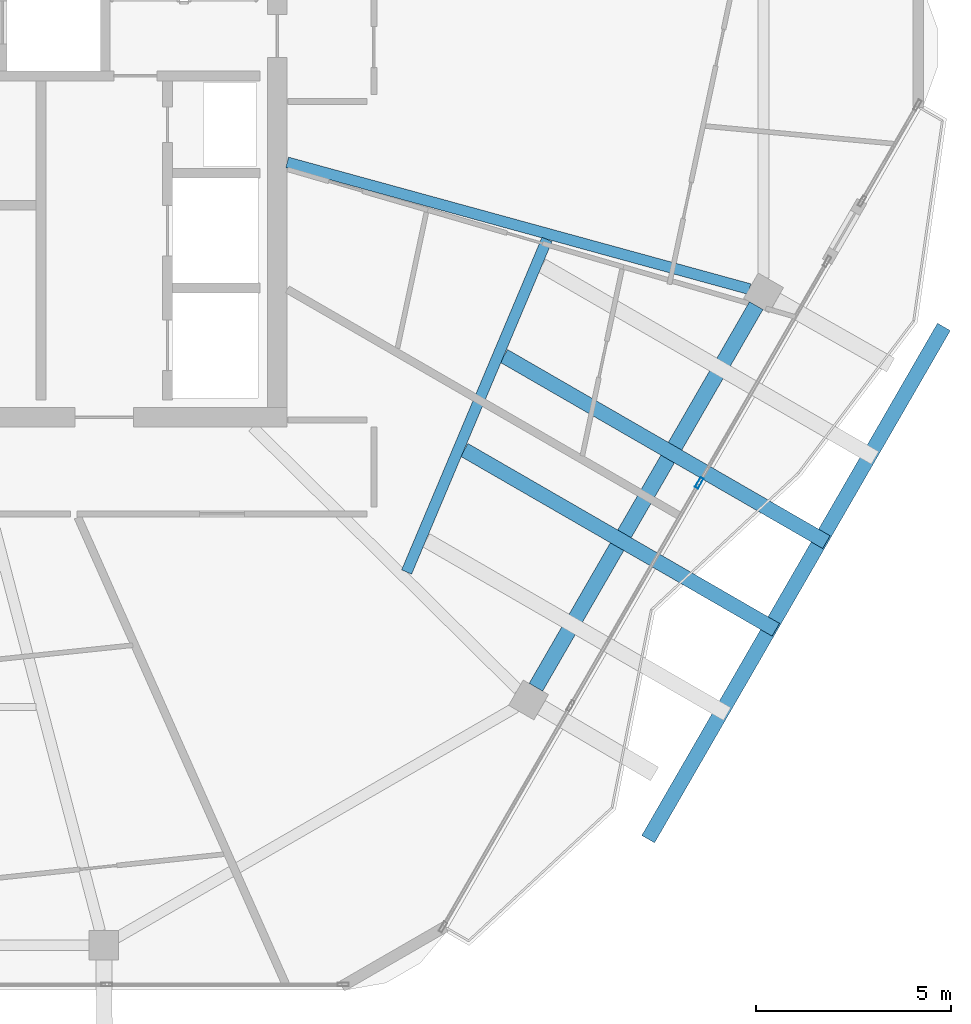
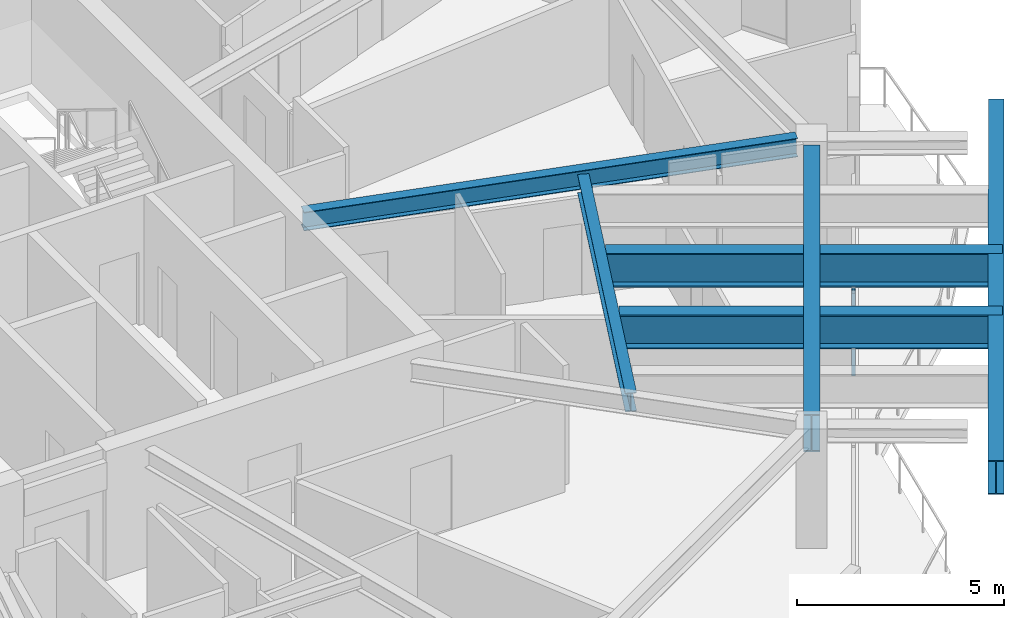
# One storey, part 6 of 23: 6 beams, 1 member, 1 element without a shape of its own.
"""IFC4 building model written with IfcOpenShell, lengths in metres."""

from ifc_helpers import new_model, si_unit, direction, frame, origin, origin_2d, place, context, subcontext, project, spatial, hollow_rectangle, i_section, extrude, material, material_profile, profile_set, type_object, element, aggregate, save


model = new_model("IFC4")

# Units and contexts
model_context = context("Model", 3, precision=1e-05, world=origin(), true_north=direction((0.0, 1.0)))
body_context = subcontext(model_context, "Body", "Model", "MODEL_VIEW")
ifc_project = project(units=[si_unit("LENGTHUNIT", "METRE"), si_unit("AREAUNIT", "SQUARE_METRE"), si_unit("VOLUMEUNIT", "CUBIC_METRE"), si_unit("PLANEANGLEUNIT", "RADIAN"), si_unit("MASSUNIT", "GRAM", prefix="KILO")], contexts=[model_context])

# Site, building, storey
site_placement = place(None, origin())
site = spatial("IfcSite", under=ifc_project, at=site_placement, CompositionType="ELEMENT")
building_placement = place(site_placement, origin())
building = spatial("IfcBuilding", under=site, at=building_placement, Name="Zuhravey Tower", CompositionType="ELEMENT")
storey_placement = place(building_placement, frame((0.0, 0.0, 350.0)))
storey = spatial("IfcBuildingStorey", under=building, at=storey_placement, Name="L89", CompositionType="ELEMENT", Elevation=350.0)

# Curtain wall, member
ifc_material_1 = material(Name="Thermally broken anodised aluminium", Category="aluminium")
curtain_wall_type = type_object("IfcCurtainWallType", Name="Zone 3-4 High-Rise Curtain Wall CW4", PredefinedType="NOTDEFINED", material=ifc_material_1)
curtain_wall_placement = place(storey_placement, origin())
curtain_wall = element("IfcCurtainWall", 1, at=curtain_wall_placement, inside=storey, type_object=curtain_wall_type, Name="L89 CW4 CW-L89-F6-2", PredefinedType="NOTDEFINED")
ifc_material_2 = material(Name="Anodised aluminium", Category="aluminium")
ifc_material_profile_1 = material_profile(ifc_material_2, hollow_rectangle(XDim=0.090087890625, YDim=0.284912109375, WallThickness=0.0048828125, at=origin_2d()), Name="ALU-RHS-90x285x5")
ifc_profile_set_1 = profile_set([ifc_material_profile_1], Name="Anodised aluminium")
member_type = type_object("IfcMemberType", Name="Curtain-Wall Mullion 90x180", PredefinedType="MULLION", material=ifc_profile_set_1)
member_placement = place(storey_placement, frame((57.341796875, 20.816650390625, 0.0), z_axis=(0.0, 0.0, 1.0), x_axis=(0.86602491538, -0.500000845941, 0.0)))
member = element("IfcMember", 2, at=member_placement, type_object=member_type, Name="CW4 mullion 2", PredefinedType="MULLION", context=body_context, shape_type="SweptSolid", body=[
    extrude(hollow_rectangle(XDim=0.090087890625, YDim=0.284912109375, WallThickness=0.0048828125, at=origin_2d()), origin(), (0.0, 0.0, 1.0), 2.419921875),
])
aggregate(curtain_wall, [member])

# Beams
ifc_material_3 = material(Name="Steel SM355", Category="steel")
ifc_material_profile_2 = material_profile(ifc_material_3, i_section(OverallWidth=0.280029296875, OverallDepth=0.550048828125, WebThickness=0.010986328125, FlangeThickness=0.01806640625, at=origin_2d()), Name="H-550x280x11x18")
ifc_profile_set_2 = profile_set([ifc_material_profile_2], Name="Steel SM355")
beam_type_1 = type_object("IfcBeamType", Name="Radial Primary Girder H550x280", PredefinedType="BEAM", material=ifc_profile_set_2)
beam_1_placement = place(storey_placement, frame((46.7529296875, 29.052734375, 3.2451171875), z_axis=(0.964428588077, -0.264343523658, 0.0), x_axis=(0.264343523658, 0.964428588077, 0.0)))
element("IfcBeam", 3, at=beam_1_placement, inside=storey, type_object=beam_type_1, Name="L89 RG4 BM-L89-RAD-12", PredefinedType="BEAM", context=body_context, shape_type="SweptSolid", body=[
    extrude(i_section(OverallWidth=0.280029296875, OverallDepth=0.550048828125, WebThickness=0.010986328125, FlangeThickness=0.01806640625, at=origin_2d()), origin(), (0.0, 0.0, 1.0), 12.31396484375),
])
beam_2_placement = place(storey_placement, frame((49.82080078125, 18.52587890625, 3.14501953125), z_axis=(0.388863846014, 0.921295234582, 0.0), x_axis=(-0.921295234582, 0.388863846014, 0.0)))
element("IfcBeam", 4, at=beam_2_placement, inside=storey, type_object=beam_type_1, Name="L89 Sky-Pool Backspan Header RG4", PredefinedType="BEAM", context=body_context, shape_type="SweptSolid", body=[
    extrude(i_section(OverallWidth=0.280029296875, OverallDepth=0.550048828125, WebThickness=0.010986328125, FlangeThickness=0.01806640625, at=origin_2d()), origin(), (0.0, 0.0, 1.0), 9.278076171875),
])
ifc_material_4 = material(Name="Steel SM460", Category="steel")
ifc_material_profile_3 = material_profile(ifc_material_4, i_section(OverallWidth=0.39990234375, OverallDepth=1.10009765625, WebThickness=0.02197265625, FlangeThickness=0.0380859375, at=origin_2d()), Name="H-1100x400x22x38")
ifc_profile_set_3 = profile_set([ifc_material_profile_3], Name="Steel SM460")
beam_type_2 = type_object("IfcBeamType", Name="Setback Transfer Girder H1100x400", PredefinedType="BEAM", material=ifc_profile_set_3)
beam_3_placement = place(storey_placement, frame((53.143798828125, 15.565673828125, 2.8701171875), z_axis=(0.499993743963, 0.866029015679, 0.0), x_axis=(-0.866029015679, 0.499993743963, 0.0)))
element("IfcBeam", 5, at=beam_3_placement, inside=storey, type_object=beam_type_2, Name="L89 TG2 BM-L89-PB-11", PredefinedType="BEAM", context=body_context, shape_type="SweptSolid", body=[
    extrude(i_section(OverallWidth=0.39990234375, OverallDepth=1.10009765625, WebThickness=0.02197265625, FlangeThickness=0.0380859375, at=origin_2d()), origin(), (0.0, 0.0, 1.0), 11.321533203125),
])
ifc_material_profile_4 = material_profile(ifc_material_4, i_section(OverallWidth=0.3798828125, OverallDepth=1.0, WebThickness=0.02001953125, FlangeThickness=0.035888671875, at=origin_2d()), Name="H-1000x380x20x36")
ifc_profile_set_4 = profile_set([ifc_material_profile_4], Name="Steel SM460")
beam_type_3 = type_object("IfcBeamType", Name="Sky-Pool Saddle Girder H1000x380", PredefinedType="BEAM", material=ifc_profile_set_4)
beam_4_placement = place(storey_placement, frame((51.3017578125, 21.664306640625, 2.919921875), z_axis=(0.866025945564, -0.499999061609, 0.0), x_axis=(0.499999061609, 0.866025945564, 0.0)))
element("IfcBeam", 6, at=beam_4_placement, inside=storey, type_object=beam_type_3, Name="L89 Sky-Pool Saddle Girder SPG1-02", PredefinedType="BEAM", context=body_context, shape_type="SweptSolid", body=[
    extrude(i_section(OverallWidth=0.3798828125, OverallDepth=1.0, WebThickness=0.02001953125, FlangeThickness=0.035888671875, at=origin_2d()), origin(), (0.0, 0.0, 1.0), 9.24462890625),
])
beam_5_placement = place(storey_placement, frame((52.32080078125, 24.078369140625, 2.919921875), z_axis=(0.86602073657, -0.500008083765, 0.0), x_axis=(0.500008083765, 0.86602073657, 0.0)))
element("IfcBeam", 7, at=beam_5_placement, inside=storey, type_object=beam_type_3, Name="L89 Sky-Pool Saddle Girder SPG1-03", PredefinedType="BEAM", context=body_context, shape_type="SweptSolid", body=[
    extrude(i_section(OverallWidth=0.3798828125, OverallDepth=1.0, WebThickness=0.02001953125, FlangeThickness=0.035888671875, at=origin_2d()), origin(), (0.0, 0.0, 1.0), 9.569091796875),
])
beam_6_placement = place(storey_placement, frame((56.02783203125, 11.6611328125, 2.919921875), z_axis=(0.500005158081, 0.866022425744, 0.0), x_axis=(-0.866022425744, 0.500005158081, 0.0)))
element("IfcBeam", 8, at=beam_6_placement, inside=storey, type_object=beam_type_3, Name="L89 Sky-Pool Outer Rim Girder SPG1-RIM", PredefinedType="BEAM", context=body_context, shape_type="SweptSolid", body=[
    extrude(i_section(OverallWidth=0.3798828125, OverallDepth=1.0, WebThickness=0.02001953125, FlangeThickness=0.035888671875, at=origin_2d()), origin(), (0.0, 0.0, 1.0), 15.199951171875),
])

save(model, "model.ifc")
